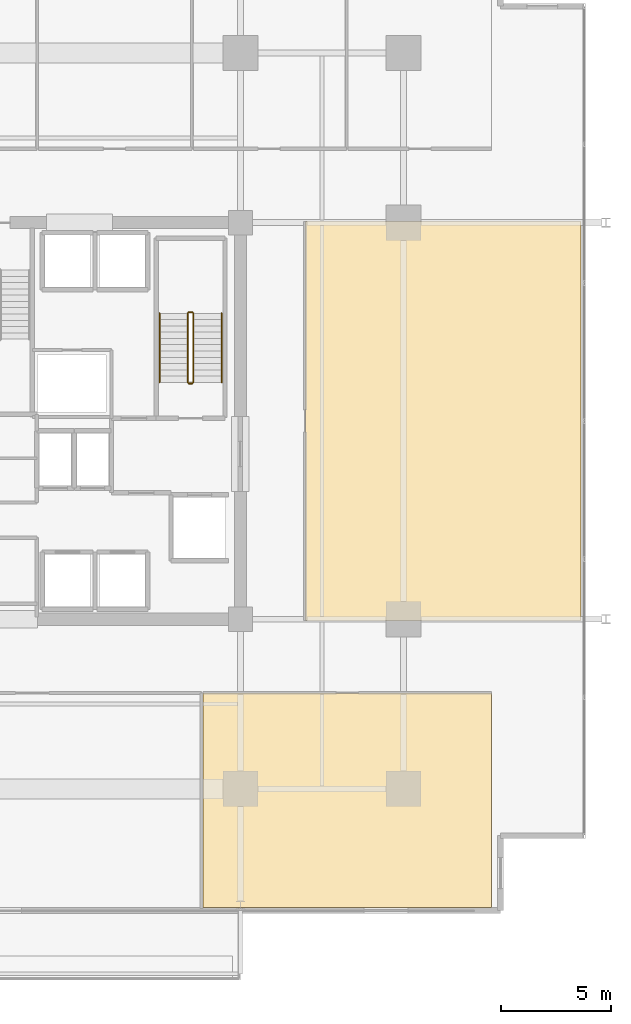
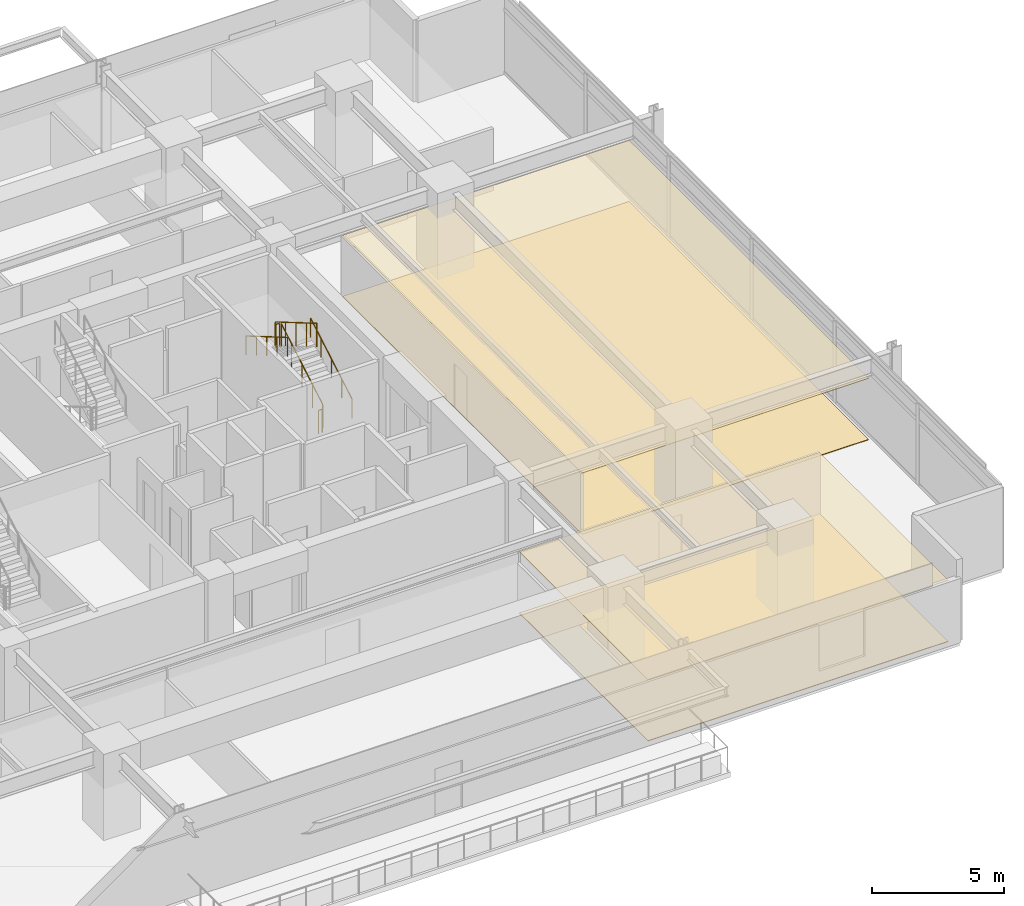
# One storey, part 20 of 21: 6 railings, 4 coverings.
"""IFC4 building model written with IfcOpenShell, lengths in metres."""

import ifcopenshell
import ifcopenshell.guid

model = None  # the IFC model being written
_history = None  # IfcOwnerHistory: only IFC2X3 demands one
_inside = {}  # id of a spatial element -> (the spatial element, [elements in it])
_under = {}  # id of a project, library or spatial element -> (it, [spatial elements below it])
_declared = {}  # id of a project -> (the project, [libraries it declares])
_typed = {}  # id of a type object -> (the type object, [elements of that type])
_made_of = {}  # id of a material, layer set ... -> (it, [elements and type objects made of it])


def new_model(schema):
    """Start an empty IFC model of exactly this schema.

    Asked for "IFC4X3", IfcOpenShell would pick the latest addendum, in which some entities
    have other attributes; the version numbers below select the first issue.
    IFC2X3 requires an IfcOwnerHistory on every rooted entity: one is made here for all.
    """
    global model, _history
    if schema == "IFC4X3":
        model = ifcopenshell.file(schema_version=(4, 3, 0, 0))
    else:
        model = ifcopenshell.file(schema=schema)
    _inside.clear()
    _under.clear()
    _declared.clear()
    _typed.clear()
    _made_of.clear()
    _history = None
    if model.schema == "IFC2X3":
        org = make("IfcOrganization", Name="unknown")
        user = make(
            "IfcPersonAndOrganization",
            ThePerson=make("IfcPerson", FamilyName="unknown"),
            TheOrganization=org,
        )
        app = make(
            "IfcApplication",
            ApplicationDeveloper=org,
            Version="unknown",
            ApplicationFullName="unknown",
            ApplicationIdentifier="unknown",
        )
        _history = make(
            "IfcOwnerHistory",
            OwningUser=user,
            OwningApplication=app,
            ChangeAction="ADDED",
            CreationDate=0,
        )
    return model


def make(cls, **values):
    """One entity of the class cls with the attributes given. An attribute that is None is left unset."""
    return model.create_entity(
        cls, **{name: value for name, value in values.items() if value is not None}
    )


def rooted(cls, **values):
    """An entity with a GlobalId (a new one), such as an element, a storey or a relation."""
    return make(cls, GlobalId=ifcopenshell.guid.new(), OwnerHistory=_history, **values)


def si_unit(unit_type, name, prefix=None):
    """IfcSIUnit, for example si_unit("LENGTHUNIT", "METRE", prefix="MILLI")."""
    return make("IfcSIUnit", UnitType=unit_type, Prefix=prefix, Name=name)


def assignment(units):
    """IfcUnitAssignment: the units of a project."""
    return None if units is None else make("IfcUnitAssignment", Units=units)


def point(xyz):
    """IfcCartesianPoint."""
    return None if xyz is None else make("IfcCartesianPoint", Coordinates=xyz)


def direction(xyz):
    """IfcDirection."""
    return None if xyz is None else make("IfcDirection", DirectionRatios=xyz)


def frame(location, z_axis=None, x_axis=None):
    """IfcAxis2Placement3D, a coordinate frame: its origin and axes. An axis left out is left unset."""
    return make(
        "IfcAxis2Placement3D",
        Location=point(location),
        Axis=direction(z_axis),
        RefDirection=direction(x_axis),
    )


def frame_2d(location, x_axis=None):
    """IfcAxis2Placement2D, a coordinate frame in the plane: its origin and x axis."""
    return make(
        "IfcAxis2Placement2D", Location=point(location), RefDirection=direction(x_axis)
    )


def origin():
    """The frame at (0, 0, 0) with its axes left unset."""
    return frame((0.0, 0.0, 0.0))


def origin_2d():
    """The frame at (0, 0) in the plane with its x axis left unset."""
    return frame_2d((0.0, 0.0))


def place(relative_to, where):
    """IfcLocalPlacement: puts the frame where relative to a parent placement (None: the world)."""
    return make(
        "IfcLocalPlacement", PlacementRelTo=relative_to, RelativePlacement=where
    )


def context(
    kind, dimensions, precision=None, world=None, true_north=None, identifier=None
):
    """IfcGeometricRepresentationContext, for example the 3D "Model" context."""
    return make(
        "IfcGeometricRepresentationContext",
        ContextIdentifier=identifier,
        ContextType=kind,
        CoordinateSpaceDimension=dimensions,
        Precision=precision,
        WorldCoordinateSystem=world,
        TrueNorth=true_north,
    )


def subcontext(parent, identifier, kind, view, scale=None):
    """IfcGeometricRepresentationSubContext, for example "Body" below "Model"."""
    return make(
        "IfcGeometricRepresentationSubContext",
        ContextIdentifier=identifier,
        ContextType=kind,
        ParentContext=parent,
        TargetScale=scale,
        TargetView=view,
    )


def project(units=None, contexts=None):
    """IfcProject with its units and contexts."""
    return rooted(
        "IfcProject",
        Name="project",
        RepresentationContexts=contexts,
        UnitsInContext=assignment(units),
    )


def spatial(cls, under=None, at=None, **own):
    """A site, building, storey or space (cls), placed at a placement, below another one or the project."""
    s = rooted(cls, ObjectPlacement=at, **own)
    if under is not None:
        _under.setdefault(under.id(), (under, []))[1].append(s)
    return s


def polyline(points):
    """IfcPolyline through the points."""
    return make("IfcPolyline", Points=[point(p) for p in points])


def profile(cls, at=None, kind="AREA", **sizes):
    """A parametric profile (cls). Its sizes go by their IFC names, for example OverallWidth=200.0."""
    return make(cls, ProfileType=kind, Position=at, **sizes)


def circle(**sizes):
    """IfcCircleProfileDef."""
    return profile("IfcCircleProfileDef", **sizes)


def outline(outer, holes=None, kind="AREA"):
    """IfcArbitraryClosedProfileDef: a profile drawn as a closed curve; with holes, ...WithVoids."""
    if holes is None:
        return make("IfcArbitraryClosedProfileDef", ProfileType=kind, OuterCurve=outer)
    return make(
        "IfcArbitraryProfileDefWithVoids",
        ProfileType=kind,
        OuterCurve=outer,
        InnerCurves=holes,
    )


def extrude(swept, where, along, depth):
    """IfcExtrudedAreaSolid: the profile swept, set in the frame where, extruded along a direction by depth."""
    return make(
        "IfcExtrudedAreaSolid",
        SweptArea=swept,
        Position=where,
        ExtrudedDirection=direction(along),
        Depth=depth,
    )


def shape(context_of_items, identifier, shape_type, items):
    """IfcShapeRepresentation: the items that make up one representation, for example the "Body"."""
    return make(
        "IfcShapeRepresentation",
        ContextOfItems=context_of_items,
        RepresentationIdentifier=identifier,
        RepresentationType=shape_type,
        Items=items,
    )


def material(Name=None, Category=None):
    """IfcMaterial."""
    return make("IfcMaterial", Name=Name, Category=Category)


def layer(
    of_material, thickness, ventilated=None, Name=None, Category=None, Priority=None
):
    """IfcMaterialLayer: one layer of a wall or slab, of a material (None: an air gap)."""
    return make(
        "IfcMaterialLayer",
        Material=of_material,
        LayerThickness=thickness,
        IsVentilated=ventilated,
        Name=Name,
        Category=Category,
        Priority=Priority,
    )


def layer_set(layers, Name=None):
    """IfcMaterialLayerSet."""
    return make("IfcMaterialLayerSet", MaterialLayers=layers, LayerSetName=Name)


def made_of(thing, what):
    """Note that an element or type object is made of a material, layer set ...; save() writes the relation."""
    if what is not None:
        _made_of.setdefault(what.id(), (what, []))[1].append(thing)
    return thing


def type_object(cls, material=None, **own):
    """A type object (cls), such as IfcWallType, which elements share."""
    return made_of(rooted(cls, **own), material)


def element(
    cls,
    number,
    at=None,
    inside=None,
    cuts=None,
    type_object=None,
    material=None,
    context=None,
    identifier="Body",
    shape_type=None,
    held_by="IfcProductDefinitionShape",
    body=None,
    shapes=None,
    **own,
):
    """One element of the class cls, such as IfcWall. Its Tag is "e" and its number.

    at: its placement. inside: the storey or other place that contains it. cuts: it is an
    opening in that element (IfcRelVoidsElement). A single representation is given by context,
    identifier, shape_type and body (its items); several are given by shapes. held_by: the class
    of the entity that holds the representations. save() writes the other relations.
    """
    e = rooted(cls, Tag="e%d" % number, ObjectPlacement=at, **own)
    if body is not None:
        shapes = [shape(context, identifier, shape_type, body)]
    if shapes is not None:
        e.Representation = make(held_by, Representations=shapes)
    if inside is not None:
        _inside.setdefault(inside.id(), (inside, []))[1].append(e)
    if cuts is not None:
        rooted(
            "IfcRelVoidsElement", RelatingBuildingElement=cuts, RelatedOpeningElement=e
        )
    if type_object is not None:
        _typed.setdefault(type_object.id(), (type_object, []))[1].append(e)
    return made_of(e, material)


def aggregate(whole, parts):
    """IfcRelAggregates: a whole, such as a stair, and the parts it consists of."""
    return rooted("IfcRelAggregates", RelatingObject=whole, RelatedObjects=parts)


def save(model, path):
    """Write the relations noted so far, then the file.

    IfcRelAggregates (storeys below a building ...), IfcRelContainedInSpatialStructure (elements
    in a storey), IfcRelDefinesByType, IfcRelAssociatesMaterial and IfcRelDeclares: one each for
    every whole, place, type object, material and project.
    """
    for whole, parts in _under.values():
        aggregate(whole, parts)
    for where, things in _inside.values():
        rooted(
            "IfcRelContainedInSpatialStructure",
            RelatedElements=things,
            RelatingStructure=where,
        )
    for kind, things in _typed.values():
        rooted("IfcRelDefinesByType", RelatedObjects=things, RelatingType=kind)
    for what, things in _made_of.values():
        rooted("IfcRelAssociatesMaterial", RelatedObjects=things, RelatingMaterial=what)
    for by, libraries in _declared.values():
        rooted("IfcRelDeclares", RelatingContext=by, RelatedDefinitions=libraries)
    model.write(path)


model = new_model("IFC4")

# Units and contexts
model_context = context("Model", 3, precision=1e-05, world=origin(), true_north=direction((0.0, 1.0)))
body_context = subcontext(model_context, "Body", "Model", "MODEL_VIEW")
ifc_project = project(units=[si_unit("LENGTHUNIT", "METRE"), si_unit("AREAUNIT", "SQUARE_METRE"), si_unit("VOLUMEUNIT", "CUBIC_METRE"), si_unit("PLANEANGLEUNIT", "RADIAN"), si_unit("MASSUNIT", "GRAM", prefix="KILO")], contexts=[model_context])

# Site, building, storey
site_placement = place(None, origin())
site = spatial("IfcSite", under=ifc_project, at=site_placement, CompositionType="ELEMENT")
building_placement = place(site_placement, origin())
building = spatial("IfcBuilding", under=site, at=building_placement, Name="Kovane Verandah Tower", CompositionType="ELEMENT")
storey_placement = place(building_placement, frame((0.0, 0.0, 152.39990234375)))
storey = spatial("IfcBuildingStorey", under=building, at=storey_placement, Name="L35", CompositionType="ELEMENT", Elevation=152.39990234375)

# Coverings
ifc_material_1 = material(Name="Perforated Acoustic Mineral-Fibre Ceiling Tile", Category="gypsum")
ifc_layer_1 = layer(ifc_material_1, 0.02490234375)
ifc_layer_set_1 = layer_set([ifc_layer_1], Name="Perforated Acoustic Mineral-Fibre Ceiling Tile")
covering_type_1 = type_object("IfcCoveringType", Name="CV-CEIL-25", PredefinedType="CEILING", material=ifc_layer_set_1)
covering_1_placement = place(storey_placement, frame((0.0, 0.0, 2.8251953125)))
element("IfcCovering", 1, at=covering_1_placement, inside=storey, type_object=covering_type_1, Name="L35 Meeting Room S3 Acoustic Ceiling", PredefinedType="CEILING", context=body_context, shape_type="SweptSolid", body=[
    extrude(outline(polyline([(49.305419921875, 5.4228515625), (62.406005859375, 5.4228515625), (62.406005859375, 15.14990234375), (49.305419921875, 15.14990234375), (49.305419921875, 5.4228515625)])), origin(), (0.0, 0.0, 1.0), 0.02490234375),
])
covering_2_placement = place(storey_placement, frame((0.0, 0.0, 2.8251953125)))
element("IfcCovering", 2, at=covering_2_placement, inside=storey, type_object=covering_type_1, Name="L35 Breakout Pantry E1 Acoustic Ceiling", PredefinedType="CEILING", context=body_context, shape_type="SweptSolid", body=[
    extrude(outline(polyline([(53.949951171875, 18.449951171875), (66.4560546875, 18.449951171875), (66.4560546875, 36.550048828125), (53.949951171875, 36.550048828125), (53.949951171875, 18.449951171875)])), origin(), (0.0, 0.0, 1.0), 0.02490234375),
])
ifc_material_2 = material(Name="Polished Terrazzo and Raised-Access Carpet Tile Finish", Category="concrete")
ifc_layer_2 = layer(ifc_material_2, 0.030029296875)
ifc_layer_set_2 = layer_set([ifc_layer_2], Name="Polished Terrazzo and Raised-Access Carpet Tile Finish")
covering_type_2 = type_object("IfcCoveringType", Name="CV-FLOR-30", PredefinedType="FLOORING", material=ifc_layer_set_2)
covering_3_placement = place(storey_placement, origin())
element("IfcCovering", 3, at=covering_3_placement, inside=storey, type_object=covering_type_2, Name="L35 Meeting Room S3 Floor Finish", PredefinedType="FLOORING", context=body_context, shape_type="SweptSolid", body=[
    extrude(outline(polyline([(49.305419921875, 5.4228515625), (62.406005859375, 5.4228515625), (62.406005859375, 15.14990234375), (49.305419921875, 15.14990234375), (49.305419921875, 5.4228515625)])), origin(), (0.0, 0.0, 1.0), 0.030029296875),
])
covering_4_placement = place(storey_placement, origin())
element("IfcCovering", 4, at=covering_4_placement, inside=storey, type_object=covering_type_2, Name="L35 Breakout Pantry E1 Floor Finish", PredefinedType="FLOORING", context=body_context, shape_type="SweptSolid", body=[
    extrude(outline(polyline([(53.949951171875, 18.449951171875), (66.4560546875, 18.449951171875), (66.4560546875, 36.550048828125), (53.949951171875, 36.550048828125), (53.949951171875, 18.449951171875)])), origin(), (0.0, 0.0, 1.0), 0.030029296875),
])

# Railings
ifc_material_3 = material(Name="Brushed Stainless Steel Handrail", Category="steel")
railing_type_1 = type_object("IfcRailingType", Name="RL-HAND-920", PredefinedType="HANDRAIL", material=ifc_material_3)
railing_1_placement = place(storey_placement, frame((50.14990234375, 29.25, 0.166748046875)))
element("IfcRailing", 5, at=railing_1_placement, inside=storey, type_object=railing_type_1, Name="L35 ST-02 stair handrail 1", PredefinedType="HANDRAIL", context=body_context, shape_type="SweptSolid", body=[
    extrude(circle(Radius=0.02392578125, at=origin_2d()), frame((0.0, 0.0, 0.8759765625), z_axis=(0.0, 0.863239559939, 0.504794475164), x_axis=(-1.0, 0.0, 0.0)), (0.0, 0.0, 1.0), 3.631591796875),
    extrude(circle(Radius=0.02099609375, at=origin_2d()), origin(), (0.0, 0.0, 1.0), 0.851806640625),
    extrude(circle(Radius=0.02099609375, at=origin_2d()), frame((0.0, 0.78369140625, 0.458251953125)), (0.0, 0.0, 1.0), 0.851806640625),
    extrude(circle(Radius=0.02099609375, at=origin_2d()), frame((0.0, 1.5673828125, 0.91650390625)), (0.0, 0.0, 1.0), 0.851806640625),
    extrude(circle(Radius=0.02099609375, at=origin_2d()), frame((0.0, 2.351318359375, 1.375)), (0.0, 0.0, 1.0), 0.851806640625),
    extrude(circle(Radius=0.02099609375, at=origin_2d()), frame((0.0, 3.135009765625, 1.833251953125)), (0.0, 0.0, 1.0), 0.851806640625),
])
railing_2_placement = place(storey_placement, frame((47.330078125, 32.385009765625, 2.166748046875)))
element("IfcRailing", 6, at=railing_2_placement, inside=storey, type_object=railing_type_1, Name="L35 ST-02 stair handrail 2", PredefinedType="HANDRAIL", context=body_context, shape_type="SweptSolid", body=[
    extrude(circle(Radius=0.02392578125, at=origin_2d()), frame((0.0, 0.0, 0.8759765625), z_axis=(0.0, -0.863239559939, 0.504794475164), x_axis=(1.0, 0.0, 0.0)), (0.0, 0.0, 1.0), 3.631591796875),
    extrude(circle(Radius=0.02099609375, at=origin_2d()), origin(), (0.0, 0.0, 1.0), 0.851806640625),
    extrude(circle(Radius=0.02099609375, at=origin_2d()), frame((0.0, -0.78369140625, 0.458251953125)), (0.0, 0.0, 1.0), 0.851806640625),
    extrude(circle(Radius=0.02099609375, at=origin_2d()), frame((0.0, -1.5673828125, 0.91650390625)), (0.0, 0.0, 1.0), 0.851806640625),
    extrude(circle(Radius=0.02099609375, at=origin_2d()), frame((0.0, -2.351318359375, 1.375)), (0.0, 0.0, 1.0), 0.851806640625),
    extrude(circle(Radius=0.02099609375, at=origin_2d()), frame((0.0, -3.135009765625, 1.833251953125)), (0.0, 0.0, 1.0), 0.851806640625),
])
ifc_material_4 = material(Name="Painted Steel Stairwell Guardrail", Category="steel")
railing_type_2 = type_object("IfcRailingType", Name="RL-STGUARD-1120", PredefinedType="GUARDRAIL", material=ifc_material_4)
railing_3_placement = place(storey_placement, frame((48.8701171875, 29.25, 0.166748046875)))
element("IfcRailing", 7, at=railing_3_placement, inside=storey, type_object=railing_type_2, Name="L35 ST-02 stair guard 1", PredefinedType="GUARDRAIL", context=body_context, shape_type="SweptSolid", body=[
    extrude(circle(Radius=0.02392578125, at=origin_2d()), frame((0.0, 0.0, 1.076171875), z_axis=(0.0, 0.863239559939, 0.504794475164), x_axis=(-1.0, 0.0, 0.0)), (0.0, 0.0, 1.0), 3.631591796875),
    extrude(circle(Radius=0.02099609375, at=origin_2d()), origin(), (0.0, 0.0, 1.0), 1.052001953125),
    extrude(circle(Radius=0.02099609375, at=origin_2d()), frame((0.0, 0.78369140625, 0.458251953125)), (0.0, 0.0, 1.0), 1.052001953125),
    extrude(circle(Radius=0.02099609375, at=origin_2d()), frame((0.0, 1.5673828125, 0.91650390625)), (0.0, 0.0, 1.0), 1.052001953125),
    extrude(circle(Radius=0.02099609375, at=origin_2d()), frame((0.0, 2.351318359375, 1.375)), (0.0, 0.0, 1.0), 1.052001953125),
    extrude(circle(Radius=0.02099609375, at=origin_2d()), frame((0.0, 3.135009765625, 1.833251953125)), (0.0, 0.0, 1.0), 1.052001953125),
])
railing_4_placement = place(storey_placement, frame((48.820068359375, 32.43505859375, 2.0)))
element("IfcRailing", 8, at=railing_4_placement, inside=storey, type_object=railing_type_2, Name="L35 ST-02 stair guard 2", PredefinedType="GUARDRAIL", context=body_context, shape_type="SweptSolid", body=[
    extrude(circle(Radius=0.02392578125, at=origin_2d()), frame((0.0, 0.0, 1.076171875), z_axis=(-1.0, 0.0, 0.0), x_axis=(0.0, -1.0, 0.0)), (0.0, 0.0, 1.0), 0.16015625),
    extrude(circle(Radius=0.02099609375, at=origin_2d()), origin(), (0.0, 0.0, 1.0), 1.052001953125),
    extrude(circle(Radius=0.02099609375, at=origin_2d()), frame((-0.16015625, 0.0, 0.0)), (0.0, 0.0, 1.0), 1.052001953125),
])
railing_5_placement = place(storey_placement, frame((48.610107421875, 32.385009765625, 2.166748046875)))
element("IfcRailing", 9, at=railing_5_placement, inside=storey, type_object=railing_type_2, Name="L35 ST-02 stair guard 3", PredefinedType="GUARDRAIL", context=body_context, shape_type="SweptSolid", body=[
    extrude(circle(Radius=0.02392578125, at=origin_2d()), frame((0.0, 0.0, 1.076171875), z_axis=(0.0, -0.863239559939, 0.504794475164), x_axis=(1.0, 0.0, 0.0)), (0.0, 0.0, 1.0), 3.631591796875),
    extrude(circle(Radius=0.02099609375, at=origin_2d()), origin(), (0.0, 0.0, 1.0), 1.052001953125),
    extrude(circle(Radius=0.02099609375, at=origin_2d()), frame((0.0, -0.78369140625, 0.458251953125)), (0.0, 0.0, 1.0), 1.052001953125),
    extrude(circle(Radius=0.02099609375, at=origin_2d()), frame((0.0, -1.5673828125, 0.91650390625)), (0.0, 0.0, 1.0), 1.052001953125),
    extrude(circle(Radius=0.02099609375, at=origin_2d()), frame((0.0, -2.351318359375, 1.375)), (0.0, 0.0, 1.0), 1.052001953125),
    extrude(circle(Radius=0.02099609375, at=origin_2d()), frame((0.0, -3.135009765625, 1.833251953125)), (0.0, 0.0, 1.0), 1.052001953125),
])
railing_6_placement = place(storey_placement, frame((48.820068359375, 29.199951171875, 0.0)))
element("IfcRailing", 10, at=railing_6_placement, inside=storey, type_object=railing_type_2, Name="L35 ST-02 stair guard 4", PredefinedType="GUARDRAIL", context=body_context, shape_type="SweptSolid", body=[
    extrude(circle(Radius=0.02392578125, at=origin_2d()), frame((0.0, 0.0, 1.076171875), z_axis=(-1.0, 0.0, 0.0), x_axis=(0.0, -1.0, 0.0)), (0.0, 0.0, 1.0), 0.16015625),
    extrude(circle(Radius=0.02099609375, at=origin_2d()), origin(), (0.0, 0.0, 1.0), 1.052001953125),
    extrude(circle(Radius=0.02099609375, at=origin_2d()), frame((-0.16015625, 0.0, 0.0)), (0.0, 0.0, 1.0), 1.052001953125),
])

save(model, "model.ifc")
